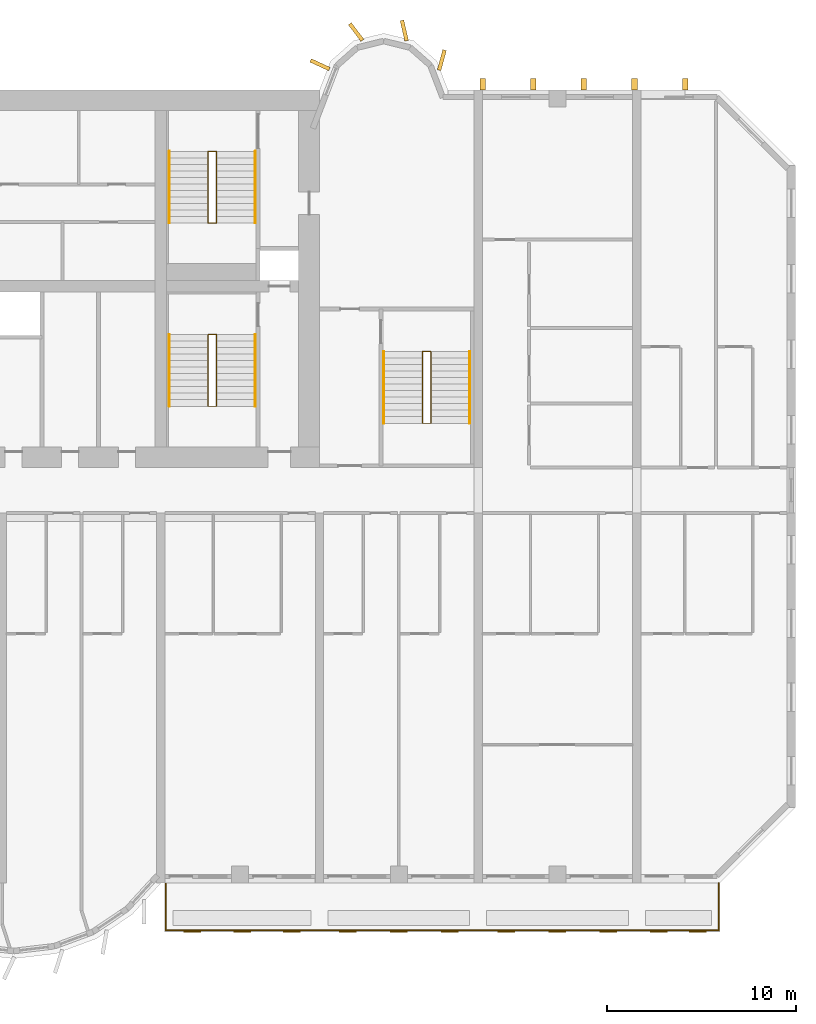
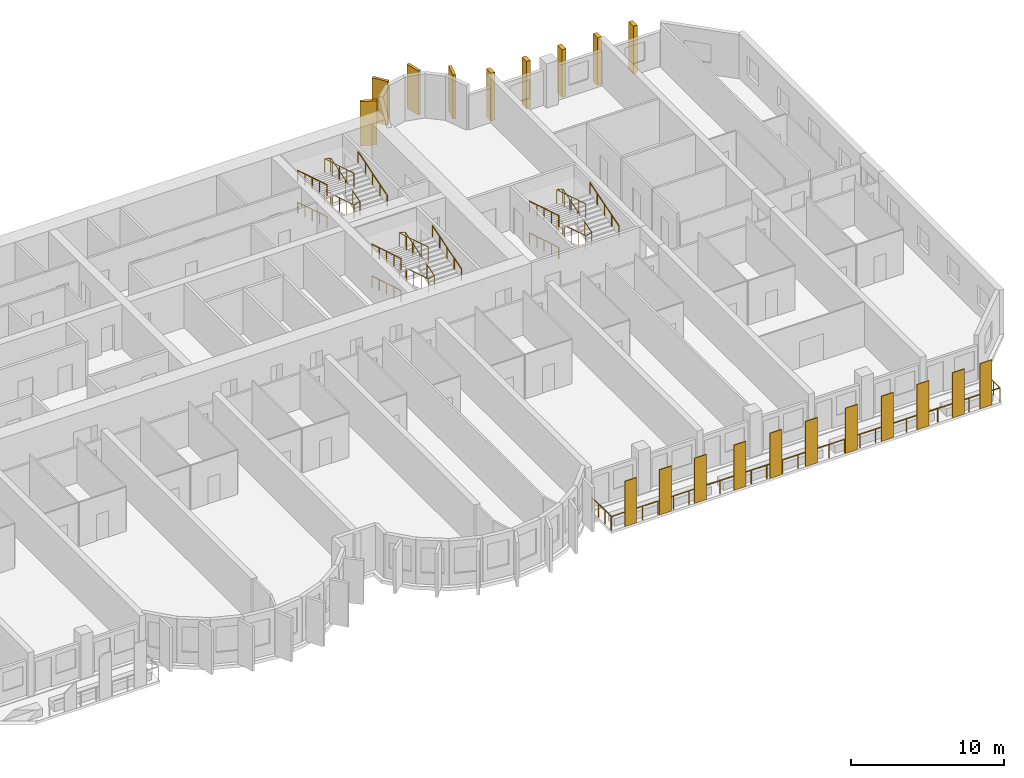
# One storey, part 14 of 15: 20 coverings, 13 railings.
"""IFC4 building model written with IfcOpenShell, lengths in metres."""

import ifcopenshell
import ifcopenshell.guid

model = None  # the IFC model being written
_history = None  # IfcOwnerHistory: only IFC2X3 demands one
_inside = {}  # id of a spatial element -> (the spatial element, [elements in it])
_under = {}  # id of a project, library or spatial element -> (it, [spatial elements below it])
_declared = {}  # id of a project -> (the project, [libraries it declares])
_typed = {}  # id of a type object -> (the type object, [elements of that type])
_made_of = {}  # id of a material, layer set ... -> (it, [elements and type objects made of it])


def new_model(schema):
    """Start an empty IFC model of exactly this schema.

    Asked for "IFC4X3", IfcOpenShell would pick the latest addendum, in which some entities
    have other attributes; the version numbers below select the first issue.
    IFC2X3 requires an IfcOwnerHistory on every rooted entity: one is made here for all.
    """
    global model, _history
    if schema == "IFC4X3":
        model = ifcopenshell.file(schema_version=(4, 3, 0, 0))
    else:
        model = ifcopenshell.file(schema=schema)
    _inside.clear()
    _under.clear()
    _declared.clear()
    _typed.clear()
    _made_of.clear()
    _history = None
    if model.schema == "IFC2X3":
        org = make("IfcOrganization", Name="unknown")
        user = make(
            "IfcPersonAndOrganization",
            ThePerson=make("IfcPerson", FamilyName="unknown"),
            TheOrganization=org,
        )
        app = make(
            "IfcApplication",
            ApplicationDeveloper=org,
            Version="unknown",
            ApplicationFullName="unknown",
            ApplicationIdentifier="unknown",
        )
        _history = make(
            "IfcOwnerHistory",
            OwningUser=user,
            OwningApplication=app,
            ChangeAction="ADDED",
            CreationDate=0,
        )
    return model


def make(cls, **values):
    """One entity of the class cls with the attributes given. An attribute that is None is left unset."""
    return model.create_entity(
        cls, **{name: value for name, value in values.items() if value is not None}
    )


def rooted(cls, **values):
    """An entity with a GlobalId (a new one), such as an element, a storey or a relation."""
    return make(cls, GlobalId=ifcopenshell.guid.new(), OwnerHistory=_history, **values)


def si_unit(unit_type, name, prefix=None):
    """IfcSIUnit, for example si_unit("LENGTHUNIT", "METRE", prefix="MILLI")."""
    return make("IfcSIUnit", UnitType=unit_type, Prefix=prefix, Name=name)


def assignment(units):
    """IfcUnitAssignment: the units of a project."""
    return None if units is None else make("IfcUnitAssignment", Units=units)


def point(xyz):
    """IfcCartesianPoint."""
    return None if xyz is None else make("IfcCartesianPoint", Coordinates=xyz)


def direction(xyz):
    """IfcDirection."""
    return None if xyz is None else make("IfcDirection", DirectionRatios=xyz)


def frame(location, z_axis=None, x_axis=None):
    """IfcAxis2Placement3D, a coordinate frame: its origin and axes. An axis left out is left unset."""
    return make(
        "IfcAxis2Placement3D",
        Location=point(location),
        Axis=direction(z_axis),
        RefDirection=direction(x_axis),
    )


def frame_2d(location, x_axis=None):
    """IfcAxis2Placement2D, a coordinate frame in the plane: its origin and x axis."""
    return make(
        "IfcAxis2Placement2D", Location=point(location), RefDirection=direction(x_axis)
    )


def origin():
    """The frame at (0, 0, 0) with its axes left unset."""
    return frame((0.0, 0.0, 0.0))


def origin_2d():
    """The frame at (0, 0) in the plane with its x axis left unset."""
    return frame_2d((0.0, 0.0))


def place(relative_to, where):
    """IfcLocalPlacement: puts the frame where relative to a parent placement (None: the world)."""
    return make(
        "IfcLocalPlacement", PlacementRelTo=relative_to, RelativePlacement=where
    )


def context(
    kind, dimensions, precision=None, world=None, true_north=None, identifier=None
):
    """IfcGeometricRepresentationContext, for example the 3D "Model" context."""
    return make(
        "IfcGeometricRepresentationContext",
        ContextIdentifier=identifier,
        ContextType=kind,
        CoordinateSpaceDimension=dimensions,
        Precision=precision,
        WorldCoordinateSystem=world,
        TrueNorth=true_north,
    )


def subcontext(parent, identifier, kind, view, scale=None):
    """IfcGeometricRepresentationSubContext, for example "Body" below "Model"."""
    return make(
        "IfcGeometricRepresentationSubContext",
        ContextIdentifier=identifier,
        ContextType=kind,
        ParentContext=parent,
        TargetScale=scale,
        TargetView=view,
    )


def project(units=None, contexts=None):
    """IfcProject with its units and contexts."""
    return rooted(
        "IfcProject",
        Name="project",
        RepresentationContexts=contexts,
        UnitsInContext=assignment(units),
    )


def spatial(cls, under=None, at=None, **own):
    """A site, building, storey or space (cls), placed at a placement, below another one or the project."""
    s = rooted(cls, ObjectPlacement=at, **own)
    if under is not None:
        _under.setdefault(under.id(), (under, []))[1].append(s)
    return s


def profile(cls, at=None, kind="AREA", **sizes):
    """A parametric profile (cls). Its sizes go by their IFC names, for example OverallWidth=200.0."""
    return make(cls, ProfileType=kind, Position=at, **sizes)


def rectangle(**sizes):
    """IfcRectangleProfileDef."""
    return profile("IfcRectangleProfileDef", **sizes)


def circle(**sizes):
    """IfcCircleProfileDef."""
    return profile("IfcCircleProfileDef", **sizes)


def extrude(swept, where, along, depth):
    """IfcExtrudedAreaSolid: the profile swept, set in the frame where, extruded along a direction by depth."""
    return make(
        "IfcExtrudedAreaSolid",
        SweptArea=swept,
        Position=where,
        ExtrudedDirection=direction(along),
        Depth=depth,
    )


def shape(context_of_items, identifier, shape_type, items):
    """IfcShapeRepresentation: the items that make up one representation, for example the "Body"."""
    return make(
        "IfcShapeRepresentation",
        ContextOfItems=context_of_items,
        RepresentationIdentifier=identifier,
        RepresentationType=shape_type,
        Items=items,
    )


def source(mapping_origin, context_of_items, identifier, shape_type, items):
    """IfcRepresentationMap: a shape defined once, which mapped items show again and again."""
    return make(
        "IfcRepresentationMap",
        MappingOrigin=mapping_origin,
        MappedRepresentation=shape(context_of_items, identifier, shape_type, items),
    )


def transform(
    local_origin,
    x_axis=None,
    y_axis=None,
    z_axis=None,
    scale=None,
    scale2=None,
    scale3=None,
    uniform=True,
):
    """IfcCartesianTransformationOperator3D, or its non-uniform kind. x_axis, y_axis, z_axis: its Axis1, 2, 3."""
    if uniform:
        return make(
            "IfcCartesianTransformationOperator3D",
            Axis1=direction(x_axis),
            Axis2=direction(y_axis),
            LocalOrigin=point(local_origin),
            Scale=scale,
            Axis3=direction(z_axis),
        )
    return make(
        "IfcCartesianTransformationOperator3DnonUniform",
        Axis1=direction(x_axis),
        Axis2=direction(y_axis),
        LocalOrigin=point(local_origin),
        Scale=scale,
        Axis3=direction(z_axis),
        Scale2=scale2,
        Scale3=scale3,
    )


def mapped(mapping_source, mapping_target):
    """IfcMappedItem: shows the shape of a source again, moved by a transform."""
    return make(
        "IfcMappedItem", MappingSource=mapping_source, MappingTarget=mapping_target
    )


def material(Name=None, Category=None):
    """IfcMaterial."""
    return make("IfcMaterial", Name=Name, Category=Category)


def layer(
    of_material, thickness, ventilated=None, Name=None, Category=None, Priority=None
):
    """IfcMaterialLayer: one layer of a wall or slab, of a material (None: an air gap)."""
    return make(
        "IfcMaterialLayer",
        Material=of_material,
        LayerThickness=thickness,
        IsVentilated=ventilated,
        Name=Name,
        Category=Category,
        Priority=Priority,
    )


def layer_set(layers, Name=None):
    """IfcMaterialLayerSet."""
    return make("IfcMaterialLayerSet", MaterialLayers=layers, LayerSetName=Name)


def material_profile(
    of_material, cross_section, Name=None, Category=None, Priority=None
):
    """IfcMaterialProfile: a cross section and its material."""
    return make(
        "IfcMaterialProfile",
        Name=Name,
        Material=of_material,
        Profile=cross_section,
        Priority=Priority,
        Category=Category,
    )


def profile_set(profiles, Name=None, composite=None):
    """IfcMaterialProfileSet."""
    return make(
        "IfcMaterialProfileSet",
        Name=Name,
        MaterialProfiles=profiles,
        CompositeProfile=composite,
    )


def made_of(thing, what):
    """Note that an element or type object is made of a material, layer set ...; save() writes the relation."""
    if what is not None:
        _made_of.setdefault(what.id(), (what, []))[1].append(thing)
    return thing


def type_object(cls, material=None, **own):
    """A type object (cls), such as IfcWallType, which elements share."""
    return made_of(rooted(cls, **own), material)


def element(
    cls,
    number,
    at=None,
    inside=None,
    cuts=None,
    type_object=None,
    material=None,
    context=None,
    identifier="Body",
    shape_type=None,
    held_by="IfcProductDefinitionShape",
    body=None,
    shapes=None,
    **own,
):
    """One element of the class cls, such as IfcWall. Its Tag is "e" and its number.

    at: its placement. inside: the storey or other place that contains it. cuts: it is an
    opening in that element (IfcRelVoidsElement). A single representation is given by context,
    identifier, shape_type and body (its items); several are given by shapes. held_by: the class
    of the entity that holds the representations. save() writes the other relations.
    """
    e = rooted(cls, Tag="e%d" % number, ObjectPlacement=at, **own)
    if body is not None:
        shapes = [shape(context, identifier, shape_type, body)]
    if shapes is not None:
        e.Representation = make(held_by, Representations=shapes)
    if inside is not None:
        _inside.setdefault(inside.id(), (inside, []))[1].append(e)
    if cuts is not None:
        rooted(
            "IfcRelVoidsElement", RelatingBuildingElement=cuts, RelatedOpeningElement=e
        )
    if type_object is not None:
        _typed.setdefault(type_object.id(), (type_object, []))[1].append(e)
    return made_of(e, material)


def aggregate(whole, parts):
    """IfcRelAggregates: a whole, such as a stair, and the parts it consists of."""
    return rooted("IfcRelAggregates", RelatingObject=whole, RelatedObjects=parts)


def save(model, path):
    """Write the relations noted so far, then the file.

    IfcRelAggregates (storeys below a building ...), IfcRelContainedInSpatialStructure (elements
    in a storey), IfcRelDefinesByType, IfcRelAssociatesMaterial and IfcRelDeclares: one each for
    every whole, place, type object, material and project.
    """
    for whole, parts in _under.values():
        aggregate(whole, parts)
    for where, things in _inside.values():
        rooted(
            "IfcRelContainedInSpatialStructure",
            RelatedElements=things,
            RelatingStructure=where,
        )
    for kind, things in _typed.values():
        rooted("IfcRelDefinesByType", RelatedObjects=things, RelatingType=kind)
    for what, things in _made_of.values():
        rooted("IfcRelAssociatesMaterial", RelatedObjects=things, RelatingMaterial=what)
    for by, libraries in _declared.values():
        rooted("IfcRelDeclares", RelatingContext=by, RelatedDefinitions=libraries)
    model.write(path)


model = new_model("IFC4")

# Units and contexts
model_context = context("Model", 3, precision=1e-05, world=origin(), true_north=direction((0.0, 1.0)))
body_context = subcontext(model_context, "Body", "Model", "MODEL_VIEW")
ifc_project = project(units=[si_unit("LENGTHUNIT", "METRE"), si_unit("AREAUNIT", "SQUARE_METRE"), si_unit("VOLUMEUNIT", "CUBIC_METRE"), si_unit("PLANEANGLEUNIT", "RADIAN"), si_unit("MASSUNIT", "GRAM", prefix="KILO")], contexts=[model_context])

# Site, building, storey
site_placement = place(None, origin())
site = spatial("IfcSite", under=ifc_project, at=site_placement, CompositionType="ELEMENT")
building_placement = place(site_placement, origin())
building = spatial("IfcBuilding", under=site, at=building_placement, Name="Vanashikhar Sky Hotel", CompositionType="ELEMENT")
storey_placement = place(building_placement, frame((0.0, 0.0, 39.199951171875)))
storey = spatial("IfcBuildingStorey", under=building, at=storey_placement, Name="L08", CompositionType="ELEMENT", Elevation=39.199951171875)

# Railing
ifc_material_1 = material(Name="Stainless steel 316", Category="steel")
railing_type_1 = type_object("IfcRailingType", Name="Balcony guard 1100", PredefinedType="GUARDRAIL", material=ifc_material_1)
shared_shape_1 = source(origin(), body_context, "Body", "SweptSolid", [
    extrude(circle(Radius=0.02392578125, at=origin_2d()), frame((0.0, 0.0, 1.076171875), z_axis=(0.0, -1.0, 0.0), x_axis=(1.0, 0.0, 0.0)), (0.0, 0.0, 1.0), 2.5),
    extrude(circle(Radius=0.02392578125, at=origin_2d()), frame((0.0, -2.5, 1.076171875), z_axis=(1.0, 0.0, 0.0), x_axis=(0.0, 1.0, 0.0)), (0.0, 0.0, 1.0), 29.280029296875),
    extrude(circle(Radius=0.02392578125, at=origin_2d()), frame((29.280029296875, -2.5, 1.076171875), z_axis=(0.0, 1.0, 0.0), x_axis=(-1.0, 0.0, 0.0)), (0.0, 0.0, 1.0), 2.5),
    extrude(circle(Radius=0.02099609375, at=origin_2d()), origin(), (0.0, 0.0, 1.0), 1.052001953125),
    extrude(circle(Radius=0.02099609375, at=origin_2d()), frame((0.0, -0.833251953125, 0.0)), (0.0, 0.0, 1.0), 1.052001953125),
    extrude(circle(Radius=0.02099609375, at=origin_2d()), frame((0.0, -1.666748046875, 0.0)), (0.0, 0.0, 1.0), 1.052001953125),
    extrude(circle(Radius=0.02099609375, at=origin_2d()), frame((0.0, -2.5, 0.0)), (0.0, 0.0, 1.0), 1.052001953125),
    extrude(circle(Radius=0.02099609375, at=origin_2d()), frame((1.171142578125, -2.5, 0.0)), (0.0, 0.0, 1.0), 1.052001953125),
    extrude(circle(Radius=0.02099609375, at=origin_2d()), frame((2.34228515625, -2.5, 0.0)), (0.0, 0.0, 1.0), 1.052001953125),
    extrude(circle(Radius=0.02099609375, at=origin_2d()), frame((3.513671875, -2.5, 0.0)), (0.0, 0.0, 1.0), 1.052001953125),
    extrude(circle(Radius=0.02099609375, at=origin_2d()), frame((4.684814453125, -2.5, 0.0)), (0.0, 0.0, 1.0), 1.052001953125),
    extrude(circle(Radius=0.02099609375, at=origin_2d()), frame((5.85595703125, -2.5, 0.0)), (0.0, 0.0, 1.0), 1.052001953125),
    extrude(circle(Radius=0.02099609375, at=origin_2d()), frame((7.027099609375, -2.5, 0.0)), (0.0, 0.0, 1.0), 1.052001953125),
    extrude(circle(Radius=0.02099609375, at=origin_2d()), frame((8.198486328125, -2.5, 0.0)), (0.0, 0.0, 1.0), 1.052001953125),
    extrude(circle(Radius=0.02099609375, at=origin_2d()), frame((9.36962890625, -2.5, 0.0)), (0.0, 0.0, 1.0), 1.052001953125),
    extrude(circle(Radius=0.02099609375, at=origin_2d()), frame((10.540771484375, -2.5, 0.0)), (0.0, 0.0, 1.0), 1.052001953125),
    extrude(circle(Radius=0.02099609375, at=origin_2d()), frame((11.7119140625, -2.5, 0.0)), (0.0, 0.0, 1.0), 1.052001953125),
    extrude(circle(Radius=0.02099609375, at=origin_2d()), frame((12.88330078125, -2.5, 0.0)), (0.0, 0.0, 1.0), 1.052001953125),
    extrude(circle(Radius=0.02099609375, at=origin_2d()), frame((14.054443359375, -2.5, 0.0)), (0.0, 0.0, 1.0), 1.052001953125),
    extrude(circle(Radius=0.02099609375, at=origin_2d()), frame((15.2255859375, -2.5, 0.0)), (0.0, 0.0, 1.0), 1.052001953125),
    extrude(circle(Radius=0.02099609375, at=origin_2d()), frame((16.396728515625, -2.5, 0.0)), (0.0, 0.0, 1.0), 1.052001953125),
    extrude(circle(Radius=0.02099609375, at=origin_2d()), frame((17.568115234375, -2.5, 0.0)), (0.0, 0.0, 1.0), 1.052001953125),
    extrude(circle(Radius=0.02099609375, at=origin_2d()), frame((18.7392578125, -2.5, 0.0)), (0.0, 0.0, 1.0), 1.052001953125),
    extrude(circle(Radius=0.02099609375, at=origin_2d()), frame((19.910400390625, -2.5, 0.0)), (0.0, 0.0, 1.0), 1.052001953125),
    extrude(circle(Radius=0.02099609375, at=origin_2d()), frame((21.08154296875, -2.5, 0.0)), (0.0, 0.0, 1.0), 1.052001953125),
    extrude(circle(Radius=0.02099609375, at=origin_2d()), frame((22.2529296875, -2.5, 0.0)), (0.0, 0.0, 1.0), 1.052001953125),
    extrude(circle(Radius=0.02099609375, at=origin_2d()), frame((23.424072265625, -2.5, 0.0)), (0.0, 0.0, 1.0), 1.052001953125),
    extrude(circle(Radius=0.02099609375, at=origin_2d()), frame((24.59521484375, -2.5, 0.0)), (0.0, 0.0, 1.0), 1.052001953125),
    extrude(circle(Radius=0.02099609375, at=origin_2d()), frame((25.766357421875, -2.5, 0.0)), (0.0, 0.0, 1.0), 1.052001953125),
    extrude(circle(Radius=0.02099609375, at=origin_2d()), frame((26.937744140625, -2.5, 0.0)), (0.0, 0.0, 1.0), 1.052001953125),
    extrude(circle(Radius=0.02099609375, at=origin_2d()), frame((28.10888671875, -2.5, 0.0)), (0.0, 0.0, 1.0), 1.052001953125),
    extrude(circle(Radius=0.02099609375, at=origin_2d()), frame((29.280029296875, -2.5, 0.0)), (0.0, 0.0, 1.0), 1.052001953125),
    extrude(circle(Radius=0.02099609375, at=origin_2d()), frame((29.280029296875, -1.666748046875, 0.0)), (0.0, 0.0, 1.0), 1.052001953125),
    extrude(circle(Radius=0.02099609375, at=origin_2d()), frame((29.280029296875, -0.833251953125, 0.0)), (0.0, 0.0, 1.0), 1.052001953125),
    extrude(circle(Radius=0.02099609375, at=origin_2d()), frame((29.280029296875, 0.0, 0.0)), (0.0, 0.0, 1.0), 1.052001953125),
])
railing_1_placement = place(storey_placement, frame((67.4599609375, 0.0, -0.050048828125)))
element("IfcRailing", 1, at=railing_1_placement, inside=storey, type_object=railing_type_1, Name="Balcony guard", PredefinedType="GUARDRAIL", context=body_context, shape_type="MappedRepresentation", body=[
    mapped(shared_shape_1, transform((0.0, 0.0, 0.0), scale=1.0)),
])

# Coverings
ifc_material_2 = material(Name="Terracotta", Category="masonry")
ifc_layer = layer(ifc_material_2, 0.06005859375)
ifc_layer_set = layer_set([ifc_layer], Name="Terracotta baguette screen")
covering_type_1 = type_object("IfcCoveringType", Name="Terracotta baguette screen", PredefinedType="CLADDING", material=ifc_layer_set)
shared_shape_2 = source(origin(), body_context, "Body", "SweptSolid", [
    extrude(rectangle(XDim=0.89990234375, YDim=0.06005859375, at=origin_2d()), origin(), (0.0, 0.0, 1.0), 3.60009765625),
])
for number, where, z_axis, x_axis, name in (
    (2, (68.86669921875, -2.570068359375, -0.050048828125), (0.0, 0.0, 1.0), (1.0, 0.0, 0.0), "Terracotta screen"),
    (3, (71.5, -2.570068359375, -0.050048828125), (0.0, 0.0, 1.0), (1.0, 0.0, 0.0), "Terracotta screen"),
    (4, (74.13330078125, -2.570068359375, -0.050048828125), (0.0, 0.0, 1.0), (1.0, 0.0, 0.0), "Terracotta screen"),
    (5, (77.10009765625, -2.570068359375, -0.050048828125), (0.0, 0.0, 1.0), (1.0, 0.0, 0.0), "Terracotta screen"),
    (6, (79.800048828125, -2.570068359375, -0.050048828125), (0.0, 0.0, 1.0), (1.0, 0.0, 0.0), "Terracotta screen"),
    (7, (82.5, -2.570068359375, -0.050048828125), (0.0, 0.0, 1.0), (1.0, 0.0, 0.0), "Terracotta screen"),
    (8, (85.5, -2.570068359375, -0.050048828125), (0.0, 0.0, 1.0), (1.0, 0.0, 0.0), "Terracotta screen"),
    (9, (88.199951171875, -2.570068359375, -0.050048828125), (0.0, 0.0, 1.0), (1.0, 0.0, 0.0), "Terracotta screen"),
    (10, (90.89990234375, -2.570068359375, -0.050048828125), (0.0, 0.0, 1.0), (1.0, 0.0, 0.0), "Terracotta screen"),
    (11, (93.574951171875, -2.570068359375, -0.050048828125), (0.0, 0.0, 1.0), (1.0, 0.0, 0.0), "Terracotta screen"),
    (12, (95.625, -2.570068359375, -0.050048828125), (0.0, 0.0, 1.0), (1.0, 0.0, 0.0), "Terracotta screen"),
):
    element("IfcCovering", number, at=place(storey_placement, frame(where, z_axis=z_axis, x_axis=x_axis)), inside=storey, type_object=covering_type_1, Name=name, PredefinedType="CLADDING", context=body_context, shape_type="MappedRepresentation", body=[
        mapped(shared_shape_2, transform((0.0, 0.0, 0.0), scale=1.0)),
    ])
ifc_material_3 = material(Name="Concrete M60 dark", Category="concrete")
ifc_material_profile_1 = material_profile(ifc_material_3, rectangle(XDim=1.10009765625, YDim=0.199951171875, at=origin_2d()))
ifc_profile_set_1 = profile_set([ifc_material_profile_1], Name="Rear lobe fin 1100 x 200")
covering_type_2 = type_object("IfcCoveringType", Name="Rear lobe fin 1100 x 200", PredefinedType="CLADDING", material=ifc_profile_set_1)
shared_shape_3 = source(origin(), body_context, "Body", "SweptSolid", [
    extrude(rectangle(XDim=1.10009765625, YDim=0.199951171875, at=origin_2d()), origin(), (0.0, 0.0, 1.0), 3.52001953125),
])
for number, where, z_axis, x_axis, name in (
    (13, (75.63037109375, 43.33447265625, 0.0), (0.0, 0.0, 1.0), (-0.908004291068, 0.418960866193, 0.0), "Fin R2-1"),
    (14, (77.5380859375, 45.06640625, 0.0), (0.0, 0.0, 1.0), (-0.602065892195, 0.798446404874, 0.0), "Fin R2-2"),
    (15, (80.08984375, 45.1455078125, 0.0), (0.0, 0.0, 1.0), (-0.224644935864, 0.974440687159, 0.0), "Fin R2-3"),
    (16, (82.0791015625, 43.580078125, 0.0), (0.0, 0.0, 1.0), (0.262711264409, 0.964874495234, 0.0), "Fin R2-4"),
):
    element("IfcCovering", number, at=place(storey_placement, frame(where, z_axis=z_axis, x_axis=x_axis)), inside=storey, type_object=covering_type_2, Name=name, PredefinedType="CLADDING", context=body_context, shape_type="MappedRepresentation", body=[
        mapped(shared_shape_3, transform((0.0, 0.0, 0.0), scale=1.0)),
    ])
ifc_material_profile_2 = material_profile(ifc_material_3, rectangle(XDim=0.60009765625, YDim=0.300048828125, at=origin_2d()))
ifc_profile_set_2 = profile_set([ifc_material_profile_2], Name="Rear rib 600 x 300")
covering_type_3 = type_object("IfcCoveringType", Name="Rear rib 600 x 300", PredefinedType="CLADDING", material=ifc_profile_set_2)
shared_shape_4 = source(origin(), body_context, "Body", "SweptSolid", [
    extrude(rectangle(XDim=0.60009765625, YDim=0.300048828125, at=origin_2d()), origin(), (0.0, 0.0, 1.0), 3.800048828125),
])
for number, where, z_axis, x_axis, name in (
    (17, (84.239990234375, 42.300048828125, -0.280029296875), (0.0, 0.0, 1.0), (0.0, 1.0, 0.0), "Rear rib"),
    (18, (86.919921875, 42.300048828125, -0.280029296875), (0.0, 0.0, 1.0), (0.0, 1.0, 0.0), "Rear rib"),
    (19, (89.60009765625, 42.300048828125, -0.280029296875), (0.0, 0.0, 1.0), (0.0, 1.0, 0.0), "Rear rib"),
    (20, (92.280029296875, 42.300048828125, -0.280029296875), (0.0, 0.0, 1.0), (0.0, 1.0, 0.0), "Rear rib"),
    (21, (94.9599609375, 42.300048828125, -0.280029296875), (0.0, 0.0, 1.0), (0.0, 1.0, 0.0), "Rear rib"),
):
    element("IfcCovering", number, at=place(storey_placement, frame(where, z_axis=z_axis, x_axis=x_axis)), inside=storey, type_object=covering_type_3, Name=name, PredefinedType="CLADDING", context=body_context, shape_type="MappedRepresentation", body=[
        mapped(shared_shape_4, transform((0.0, 0.0, 0.0), scale=1.0)),
    ])

# Railings
ifc_material_4 = material(Name="Steel S355", Category="steel")
railing_type_2 = type_object("IfcRailingType", Name="Stair handrail 900", PredefinedType="HANDRAIL", material=ifc_material_4)
shared_shape_5 = source(origin(), body_context, "Body", "SweptSolid", [
    extrude(circle(Radius=0.02392578125, at=origin_2d()), frame((0.0, 0.0, 0.8759765625), z_axis=(0.0, 0.95635109408, 0.292220096591), x_axis=(-1.0, 0.0, 0.0)), (0.0, 0.0, 1.0), 3.973388671875),
    extrude(circle(Radius=0.02099609375, at=origin_2d()), origin(), (0.0, 0.0, 1.0), 0.851806640625),
    extrude(circle(Radius=0.02099609375, at=origin_2d()), frame((0.0, 0.949951171875, 0.290283203125)), (0.0, 0.0, 1.0), 0.851806640625),
    extrude(circle(Radius=0.02099609375, at=origin_2d()), frame((0.0, 1.89990234375, 0.58056640625)), (0.0, 0.0, 1.0), 0.851806640625),
    extrude(circle(Radius=0.02099609375, at=origin_2d()), frame((0.0, 2.85009765625, 0.870849609375)), (0.0, 0.0, 1.0), 0.851806640625),
    extrude(circle(Radius=0.02099609375, at=origin_2d()), frame((0.0, 3.800048828125, 1.1611328125)), (0.0, 0.0, 1.0), 0.851806640625),
])
for number, where, name in (
    (22, (72.199951171875, 25.25, 1.372314453125), "Exit stair 2 handrail"),
    (23, (72.199951171875, 34.949951171875, 1.372314453125), "Exit stair 6 handrail"),
):
    element("IfcRailing", number, at=place(storey_placement, frame(where)), inside=storey, type_object=railing_type_2, Name=name, PredefinedType="HANDRAIL", context=body_context, shape_type="MappedRepresentation", body=[
        mapped(shared_shape_5, transform((0.0, 0.0, 0.0), scale=1.0)),
    ])
shared_shape_6 = source(origin(), body_context, "Body", "SweptSolid", [
    extrude(circle(Radius=0.02392578125, at=origin_2d()), frame((0.0, 0.0, 0.8759765625), z_axis=(0.0, -0.95635109408, 0.292220096591), x_axis=(1.0, 0.0, 0.0)), (0.0, 0.0, 1.0), 3.973388671875),
    extrude(circle(Radius=0.02099609375, at=origin_2d()), origin(), (0.0, 0.0, 1.0), 0.851806640625),
    extrude(circle(Radius=0.02099609375, at=origin_2d()), frame((0.0, -0.949951171875, 0.290283203125)), (0.0, 0.0, 1.0), 0.851806640625),
    extrude(circle(Radius=0.02099609375, at=origin_2d()), frame((0.0, -1.89990234375, 0.58056640625)), (0.0, 0.0, 1.0), 0.851806640625),
    extrude(circle(Radius=0.02099609375, at=origin_2d()), frame((0.0, -2.85009765625, 0.870849609375)), (0.0, 0.0, 1.0), 0.851806640625),
    extrude(circle(Radius=0.02099609375, at=origin_2d()), frame((0.0, -3.800048828125, 1.1611328125)), (0.0, 0.0, 1.0), 0.851806640625),
])
for number, where, name in (
    (24, (67.64990234375, 29.050048828125, 2.638916015625), "Exit stair 2 handrail"),
    (25, (67.64990234375, 38.75, 2.638916015625), "Exit stair 6 handrail"),
):
    element("IfcRailing", number, at=place(storey_placement, frame(where)), inside=storey, type_object=railing_type_2, Name=name, PredefinedType="HANDRAIL", context=body_context, shape_type="MappedRepresentation", body=[
        mapped(shared_shape_6, transform((0.0, 0.0, 0.0), scale=1.0)),
    ])
shared_shape_7 = source(origin(), body_context, "Body", "SweptSolid", [
    extrude(circle(Radius=0.02392578125, at=origin_2d()), frame((0.0, 0.0, 0.8759765625), z_axis=(0.0, -0.956368263741, 0.292163899395), x_axis=(1.0, 0.0, 0.0)), (0.0, 0.0, 1.0), 3.973388671875),
    extrude(circle(Radius=0.02099609375, at=origin_2d()), origin(), (0.0, 0.0, 1.0), 0.851806640625),
    extrude(circle(Radius=0.02099609375, at=origin_2d()), frame((0.0, -0.949951171875, 0.290283203125)), (0.0, 0.0, 1.0), 0.851806640625),
    extrude(circle(Radius=0.02099609375, at=origin_2d()), frame((0.0, -1.89990234375, 0.58056640625)), (0.0, 0.0, 1.0), 0.851806640625),
    extrude(circle(Radius=0.02099609375, at=origin_2d()), frame((0.0, -2.85009765625, 0.87060546875)), (0.0, 0.0, 1.0), 0.851806640625),
    extrude(circle(Radius=0.02099609375, at=origin_2d()), frame((0.0, -3.800048828125, 1.160888671875)), (0.0, 0.0, 1.0), 0.851806640625),
])
for number, where, name in (
    (26, (67.64990234375, 29.050048828125, 0.105712890625), "Exit stair 2 handrail"),
    (27, (67.64990234375, 38.75, 0.105712890625), "Exit stair 6 handrail"),
):
    element("IfcRailing", number, at=place(storey_placement, frame(where)), inside=storey, type_object=railing_type_2, Name=name, PredefinedType="HANDRAIL", context=body_context, shape_type="MappedRepresentation", body=[
        mapped(shared_shape_7, transform((0.0, 0.0, 0.0), scale=1.0)),
    ])
railing_type_3 = type_object("IfcRailingType", Name="Stair guard 1100", PredefinedType="GUARDRAIL", material=ifc_material_4)
shared_shape_8 = source(origin(), body_context, "Body", "SweptSolid", [
    extrude(circle(Radius=0.02392578125, at=origin_2d()), frame((0.0, 0.0, 1.076171875), z_axis=(-0.973493315427, 0.0, 0.228715466945), x_axis=(0.0, -1.0, 0.0)), (0.0, 0.0, 1.0), 0.462158203125),
    extrude(circle(Radius=0.02392578125, at=origin_2d()), frame((-0.449951171875, 0.0, 1.181640625), z_axis=(0.0, -0.956368263741, 0.292163899395), x_axis=(1.0, 0.0, 0.0)), (0.0, 0.0, 1.0), 3.973388671875),
    extrude(circle(Radius=0.02392578125, at=origin_2d()), frame((-0.449951171875, -3.800048828125, 2.3427734375), z_axis=(0.973493315427, 0.0, 0.228715466945), x_axis=(0.0, 1.0, 0.0)), (0.0, 0.0, 1.0), 0.462158203125),
    extrude(circle(Radius=0.02392578125, at=origin_2d()), frame((0.0, -3.800048828125, 2.4482421875), z_axis=(0.0, 0.95635109408, 0.292220096591), x_axis=(-1.0, 0.0, 0.0)), (0.0, 0.0, 1.0), 3.973388671875),
    extrude(circle(Radius=0.02392578125, at=origin_2d()), frame((0.0, 0.0, 3.609375), z_axis=(-0.973610808694, 0.0, 0.228214796178), x_axis=(0.0, -1.0, 0.0)), (0.0, 0.0, 1.0), 0.462158203125),
    extrude(circle(Radius=0.02392578125, at=origin_2d()), frame((-0.449951171875, 0.0, 3.71484375), z_axis=(0.0, -0.95635109408, 0.292220096591), x_axis=(1.0, 0.0, 0.0)), (0.0, 0.0, 1.0), 3.973388671875),
    extrude(circle(Radius=0.02099609375, at=origin_2d()), origin(), (0.0, 0.0, 1.0), 1.052001953125),
    extrude(circle(Radius=0.02099609375, at=origin_2d()), frame((-0.449951171875, 0.0, 0.105712890625)), (0.0, 0.0, 1.0), 1.052001953125),
    extrude(circle(Radius=0.02099609375, at=origin_2d()), frame((-0.449951171875, -0.949951171875, 0.39599609375)), (0.0, 0.0, 1.0), 1.052001953125),
    extrude(circle(Radius=0.02099609375, at=origin_2d()), frame((-0.449951171875, -1.89990234375, 0.68603515625)), (0.0, 0.0, 1.0), 1.052001953125),
    extrude(circle(Radius=0.02099609375, at=origin_2d()), frame((-0.449951171875, -2.85009765625, 0.976318359375)), (0.0, 0.0, 1.0), 1.052001953125),
    extrude(circle(Radius=0.02099609375, at=origin_2d()), frame((-0.449951171875, -3.800048828125, 1.2666015625)), (0.0, 0.0, 1.0), 1.052001953125),
    extrude(circle(Radius=0.02099609375, at=origin_2d()), frame((0.0, -3.800048828125, 1.372314453125)), (0.0, 0.0, 1.0), 1.052001953125),
    extrude(circle(Radius=0.02099609375, at=origin_2d()), frame((0.0, -2.85009765625, 1.66259765625)), (0.0, 0.0, 1.0), 1.052001953125),
    extrude(circle(Radius=0.02099609375, at=origin_2d()), frame((0.0, -1.89990234375, 1.952880859375)), (0.0, 0.0, 1.0), 1.052001953125),
    extrude(circle(Radius=0.02099609375, at=origin_2d()), frame((0.0, -0.949951171875, 2.2431640625)), (0.0, 0.0, 1.0), 1.052001953125),
    extrude(circle(Radius=0.02099609375, at=origin_2d()), frame((0.0, 0.0, 2.533447265625)), (0.0, 0.0, 1.0), 1.052001953125),
    extrude(circle(Radius=0.02099609375, at=origin_2d()), frame((-0.449951171875, 0.0, 2.638916015625)), (0.0, 0.0, 1.0), 1.052001953125),
    extrude(circle(Radius=0.02099609375, at=origin_2d()), frame((-0.449951171875, -0.949951171875, 2.92919921875)), (0.0, 0.0, 1.0), 1.052001953125),
    extrude(circle(Radius=0.02099609375, at=origin_2d()), frame((-0.449951171875, -1.89990234375, 3.219482421875)), (0.0, 0.0, 1.0), 1.052001953125),
    extrude(circle(Radius=0.02099609375, at=origin_2d()), frame((-0.449951171875, -2.85009765625, 3.509765625)), (0.0, 0.0, 1.0), 1.052001953125),
    extrude(circle(Radius=0.02099609375, at=origin_2d()), frame((-0.449951171875, -3.800048828125, 3.800048828125)), (0.0, 0.0, 1.0), 1.052001953125),
])
for number, where, name in (
    (28, (70.14990234375, 29.050048828125, 0.0), "Exit stair 2 guard"),
    (29, (70.14990234375, 38.75, 0.0), "Exit stair 6 guard"),
):
    element("IfcRailing", number, at=place(storey_placement, frame(where)), inside=storey, type_object=railing_type_3, Name=name, PredefinedType="GUARDRAIL", context=body_context, shape_type="MappedRepresentation", body=[
        mapped(shared_shape_8, transform((0.0, 0.0, 0.0), scale=1.0)),
    ])
shared_shape_9 = source(origin(), body_context, "Body", "SweptSolid", [
    extrude(circle(Radius=0.02392578125, at=origin_2d()), frame((0.0, 0.0, 0.8759765625), z_axis=(0.0, 0.956345846891, 0.292237268557), x_axis=(-1.0, 0.0, 0.0)), (0.0, 0.0, 1.0), 3.97314453125),
    extrude(circle(Radius=0.02099609375, at=origin_2d()), origin(), (0.0, 0.0, 1.0), 0.851806640625),
    extrude(circle(Radius=0.02099609375, at=origin_2d()), frame((0.0, 0.949951171875, 0.290283203125)), (0.0, 0.0, 1.0), 0.851806640625),
    extrude(circle(Radius=0.02099609375, at=origin_2d()), frame((0.0, 1.89990234375, 0.58056640625)), (0.0, 0.0, 1.0), 0.851806640625),
    extrude(circle(Radius=0.02099609375, at=origin_2d()), frame((0.0, 2.849853515625, 0.870849609375)), (0.0, 0.0, 1.0), 0.851806640625),
    extrude(circle(Radius=0.02099609375, at=origin_2d()), frame((0.0, 3.7998046875, 1.1611328125)), (0.0, 0.0, 1.0), 0.851806640625),
])
railing_2_placement = place(storey_placement, frame((83.550048828125, 24.35009765625, 1.372314453125)))
element("IfcRailing", 30, at=railing_2_placement, inside=storey, type_object=railing_type_2, Name="Exit stair 4 handrail", PredefinedType="HANDRAIL", context=body_context, shape_type="MappedRepresentation", body=[
    mapped(shared_shape_9, transform((0.0, 0.0, 0.0), scale=1.0)),
])
shared_shape_10 = source(origin(), body_context, "Body", "SweptSolid", [
    extrude(circle(Radius=0.02392578125, at=origin_2d()), frame((0.0, 0.0, 0.8759765625), z_axis=(0.0, -0.956345846891, 0.292237268557), x_axis=(1.0, 0.0, 0.0)), (0.0, 0.0, 1.0), 3.97314453125),
    extrude(circle(Radius=0.02099609375, at=origin_2d()), origin(), (0.0, 0.0, 1.0), 0.851806640625),
    extrude(circle(Radius=0.02099609375, at=origin_2d()), frame((0.0, -0.949951171875, 0.290283203125)), (0.0, 0.0, 1.0), 0.851806640625),
    extrude(circle(Radius=0.02099609375, at=origin_2d()), frame((0.0, -1.89990234375, 0.58056640625)), (0.0, 0.0, 1.0), 0.851806640625),
    extrude(circle(Radius=0.02099609375, at=origin_2d()), frame((0.0, -2.849853515625, 0.870849609375)), (0.0, 0.0, 1.0), 0.851806640625),
    extrude(circle(Radius=0.02099609375, at=origin_2d()), frame((0.0, -3.7998046875, 1.1611328125)), (0.0, 0.0, 1.0), 0.851806640625),
])
railing_3_placement = place(storey_placement, frame((79.0, 28.14990234375, 2.638916015625)))
element("IfcRailing", 31, at=railing_3_placement, inside=storey, type_object=railing_type_2, Name="Exit stair 4 handrail", PredefinedType="HANDRAIL", context=body_context, shape_type="MappedRepresentation", body=[
    mapped(shared_shape_10, transform((0.0, 0.0, 0.0), scale=1.0)),
])
shared_shape_11 = source(origin(), body_context, "Body", "SweptSolid", [
    extrude(circle(Radius=0.02392578125, at=origin_2d()), frame((0.0, 0.0, 1.076171875), z_axis=(-0.973493315427, 0.0, 0.228715466945), x_axis=(0.0, -1.0, 0.0)), (0.0, 0.0, 1.0), 0.462158203125),
    extrude(circle(Radius=0.02392578125, at=origin_2d()), frame((-0.449951171875, 0.0, 1.181640625), z_axis=(0.0, -0.956363018476, 0.292181068675), x_axis=(1.0, 0.0, 0.0)), (0.0, 0.0, 1.0), 3.97314453125),
    extrude(circle(Radius=0.02392578125, at=origin_2d()), frame((-0.449951171875, -3.7998046875, 2.3427734375), z_axis=(0.973493315427, 0.0, 0.228715466945), x_axis=(0.0, 1.0, 0.0)), (0.0, 0.0, 1.0), 0.462158203125),
    extrude(circle(Radius=0.02392578125, at=origin_2d()), frame((0.0, -3.7998046875, 2.4482421875), z_axis=(0.0, 0.956345846891, 0.292237268557), x_axis=(-1.0, 0.0, 0.0)), (0.0, 0.0, 1.0), 3.97314453125),
    extrude(circle(Radius=0.02392578125, at=origin_2d()), frame((0.0, 0.0, 3.609375), z_axis=(-0.973610808694, 0.0, 0.228214796178), x_axis=(0.0, -1.0, 0.0)), (0.0, 0.0, 1.0), 0.462158203125),
    extrude(circle(Radius=0.02392578125, at=origin_2d()), frame((-0.449951171875, 0.0, 3.71484375), z_axis=(0.0, -0.956345846891, 0.292237268557), x_axis=(1.0, 0.0, 0.0)), (0.0, 0.0, 1.0), 3.97314453125),
    extrude(circle(Radius=0.02099609375, at=origin_2d()), origin(), (0.0, 0.0, 1.0), 1.052001953125),
    extrude(circle(Radius=0.02099609375, at=origin_2d()), frame((-0.449951171875, 0.0, 0.105712890625)), (0.0, 0.0, 1.0), 1.052001953125),
    extrude(circle(Radius=0.02099609375, at=origin_2d()), frame((-0.449951171875, -0.949951171875, 0.39599609375)), (0.0, 0.0, 1.0), 1.052001953125),
    extrude(circle(Radius=0.02099609375, at=origin_2d()), frame((-0.449951171875, -1.89990234375, 0.68603515625)), (0.0, 0.0, 1.0), 1.052001953125),
    extrude(circle(Radius=0.02099609375, at=origin_2d()), frame((-0.449951171875, -2.849853515625, 0.976318359375)), (0.0, 0.0, 1.0), 1.052001953125),
    extrude(circle(Radius=0.02099609375, at=origin_2d()), frame((-0.449951171875, -3.7998046875, 1.2666015625)), (0.0, 0.0, 1.0), 1.052001953125),
    extrude(circle(Radius=0.02099609375, at=origin_2d()), frame((0.0, -3.7998046875, 1.372314453125)), (0.0, 0.0, 1.0), 1.052001953125),
    extrude(circle(Radius=0.02099609375, at=origin_2d()), frame((0.0, -2.849853515625, 1.66259765625)), (0.0, 0.0, 1.0), 1.052001953125),
    extrude(circle(Radius=0.02099609375, at=origin_2d()), frame((0.0, -1.89990234375, 1.952880859375)), (0.0, 0.0, 1.0), 1.052001953125),
    extrude(circle(Radius=0.02099609375, at=origin_2d()), frame((0.0, -0.949951171875, 2.2431640625)), (0.0, 0.0, 1.0), 1.052001953125),
    extrude(circle(Radius=0.02099609375, at=origin_2d()), frame((0.0, 0.0, 2.533447265625)), (0.0, 0.0, 1.0), 1.052001953125),
    extrude(circle(Radius=0.02099609375, at=origin_2d()), frame((-0.449951171875, 0.0, 2.638916015625)), (0.0, 0.0, 1.0), 1.052001953125),
    extrude(circle(Radius=0.02099609375, at=origin_2d()), frame((-0.449951171875, -0.949951171875, 2.92919921875)), (0.0, 0.0, 1.0), 1.052001953125),
    extrude(circle(Radius=0.02099609375, at=origin_2d()), frame((-0.449951171875, -1.89990234375, 3.219482421875)), (0.0, 0.0, 1.0), 1.052001953125),
    extrude(circle(Radius=0.02099609375, at=origin_2d()), frame((-0.449951171875, -2.849853515625, 3.509765625)), (0.0, 0.0, 1.0), 1.052001953125),
    extrude(circle(Radius=0.02099609375, at=origin_2d()), frame((-0.449951171875, -3.7998046875, 3.800048828125)), (0.0, 0.0, 1.0), 1.052001953125),
])
railing_4_placement = place(storey_placement, frame((81.5, 28.14990234375, 0.0)))
element("IfcRailing", 32, at=railing_4_placement, inside=storey, type_object=railing_type_3, Name="Exit stair 4 guard", PredefinedType="GUARDRAIL", context=body_context, shape_type="MappedRepresentation", body=[
    mapped(shared_shape_11, transform((0.0, 0.0, 0.0), scale=1.0)),
])
shared_shape_12 = source(origin(), body_context, "Body", "SweptSolid", [
    extrude(circle(Radius=0.02392578125, at=origin_2d()), frame((0.0, 0.0, 0.8759765625), z_axis=(0.0, -0.956363018476, 0.292181068675), x_axis=(1.0, 0.0, 0.0)), (0.0, 0.0, 1.0), 3.97314453125),
    extrude(circle(Radius=0.02099609375, at=origin_2d()), origin(), (0.0, 0.0, 1.0), 0.851806640625),
    extrude(circle(Radius=0.02099609375, at=origin_2d()), frame((0.0, -0.949951171875, 0.290283203125)), (0.0, 0.0, 1.0), 0.851806640625),
    extrude(circle(Radius=0.02099609375, at=origin_2d()), frame((0.0, -1.89990234375, 0.58056640625)), (0.0, 0.0, 1.0), 0.851806640625),
    extrude(circle(Radius=0.02099609375, at=origin_2d()), frame((0.0, -2.849853515625, 0.87060546875)), (0.0, 0.0, 1.0), 0.851806640625),
    extrude(circle(Radius=0.02099609375, at=origin_2d()), frame((0.0, -3.7998046875, 1.160888671875)), (0.0, 0.0, 1.0), 0.851806640625),
])
railing_5_placement = place(storey_placement, frame((79.0, 28.14990234375, 0.105712890625)))
element("IfcRailing", 33, at=railing_5_placement, inside=storey, type_object=railing_type_2, Name="Exit stair 4 handrail", PredefinedType="HANDRAIL", context=body_context, shape_type="MappedRepresentation", body=[
    mapped(shared_shape_12, transform((0.0, 0.0, 0.0), scale=1.0)),
])

save(model, "model.ifc")
